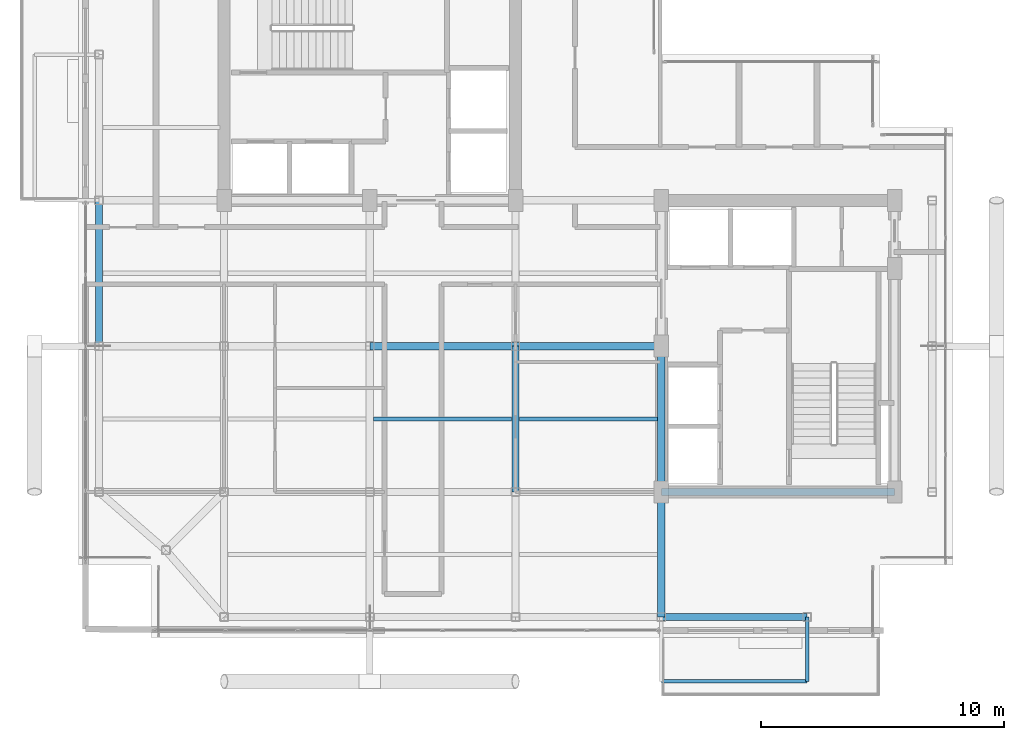
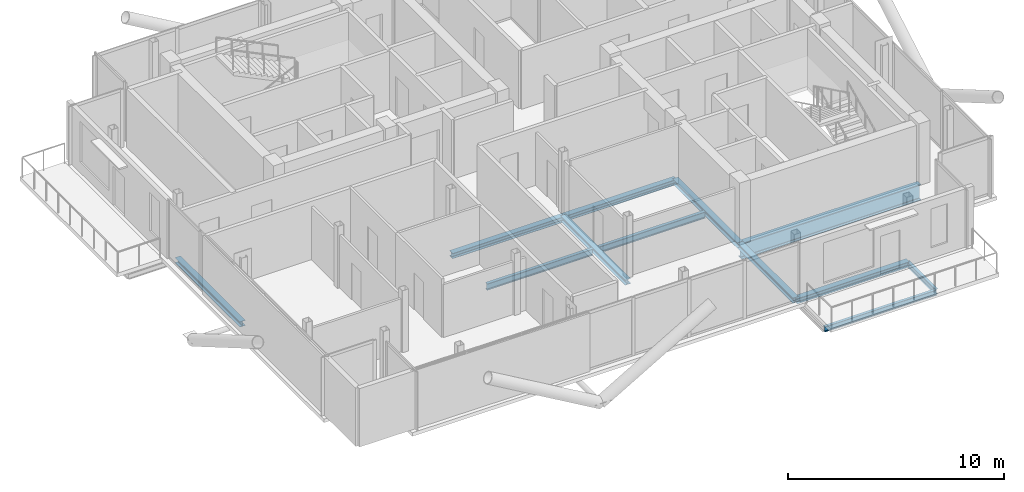
# One storey, part 5 of 18: 12 beams.
"""IFC4 building model written with IfcOpenShell, lengths in metres."""

import ifcopenshell
import ifcopenshell.guid

model = None  # the IFC model being written
_history = None  # IfcOwnerHistory: only IFC2X3 demands one
_inside = {}  # id of a spatial element -> (the spatial element, [elements in it])
_under = {}  # id of a project, library or spatial element -> (it, [spatial elements below it])
_declared = {}  # id of a project -> (the project, [libraries it declares])
_typed = {}  # id of a type object -> (the type object, [elements of that type])
_made_of = {}  # id of a material, layer set ... -> (it, [elements and type objects made of it])


def new_model(schema):
    """Start an empty IFC model of exactly this schema.

    Asked for "IFC4X3", IfcOpenShell would pick the latest addendum, in which some entities
    have other attributes; the version numbers below select the first issue.
    IFC2X3 requires an IfcOwnerHistory on every rooted entity: one is made here for all.
    """
    global model, _history
    if schema == "IFC4X3":
        model = ifcopenshell.file(schema_version=(4, 3, 0, 0))
    else:
        model = ifcopenshell.file(schema=schema)
    _inside.clear()
    _under.clear()
    _declared.clear()
    _typed.clear()
    _made_of.clear()
    _history = None
    if model.schema == "IFC2X3":
        org = make("IfcOrganization", Name="unknown")
        user = make(
            "IfcPersonAndOrganization",
            ThePerson=make("IfcPerson", FamilyName="unknown"),
            TheOrganization=org,
        )
        app = make(
            "IfcApplication",
            ApplicationDeveloper=org,
            Version="unknown",
            ApplicationFullName="unknown",
            ApplicationIdentifier="unknown",
        )
        _history = make(
            "IfcOwnerHistory",
            OwningUser=user,
            OwningApplication=app,
            ChangeAction="ADDED",
            CreationDate=0,
        )
    return model


def make(cls, **values):
    """One entity of the class cls with the attributes given. An attribute that is None is left unset."""
    return model.create_entity(
        cls, **{name: value for name, value in values.items() if value is not None}
    )


def rooted(cls, **values):
    """An entity with a GlobalId (a new one), such as an element, a storey or a relation."""
    return make(cls, GlobalId=ifcopenshell.guid.new(), OwnerHistory=_history, **values)


def si_unit(unit_type, name, prefix=None):
    """IfcSIUnit, for example si_unit("LENGTHUNIT", "METRE", prefix="MILLI")."""
    return make("IfcSIUnit", UnitType=unit_type, Prefix=prefix, Name=name)


def assignment(units):
    """IfcUnitAssignment: the units of a project."""
    return None if units is None else make("IfcUnitAssignment", Units=units)


def point(xyz):
    """IfcCartesianPoint."""
    return None if xyz is None else make("IfcCartesianPoint", Coordinates=xyz)


def direction(xyz):
    """IfcDirection."""
    return None if xyz is None else make("IfcDirection", DirectionRatios=xyz)


def frame(location, z_axis=None, x_axis=None):
    """IfcAxis2Placement3D, a coordinate frame: its origin and axes. An axis left out is left unset."""
    return make(
        "IfcAxis2Placement3D",
        Location=point(location),
        Axis=direction(z_axis),
        RefDirection=direction(x_axis),
    )


def frame_2d(location, x_axis=None):
    """IfcAxis2Placement2D, a coordinate frame in the plane: its origin and x axis."""
    return make(
        "IfcAxis2Placement2D", Location=point(location), RefDirection=direction(x_axis)
    )


def origin():
    """The frame at (0, 0, 0) with its axes left unset."""
    return frame((0.0, 0.0, 0.0))


def origin_2d():
    """The frame at (0, 0) in the plane with its x axis left unset."""
    return frame_2d((0.0, 0.0))


def place(relative_to, where):
    """IfcLocalPlacement: puts the frame where relative to a parent placement (None: the world)."""
    return make(
        "IfcLocalPlacement", PlacementRelTo=relative_to, RelativePlacement=where
    )


def context(
    kind, dimensions, precision=None, world=None, true_north=None, identifier=None
):
    """IfcGeometricRepresentationContext, for example the 3D "Model" context."""
    return make(
        "IfcGeometricRepresentationContext",
        ContextIdentifier=identifier,
        ContextType=kind,
        CoordinateSpaceDimension=dimensions,
        Precision=precision,
        WorldCoordinateSystem=world,
        TrueNorth=true_north,
    )


def subcontext(parent, identifier, kind, view, scale=None):
    """IfcGeometricRepresentationSubContext, for example "Body" below "Model"."""
    return make(
        "IfcGeometricRepresentationSubContext",
        ContextIdentifier=identifier,
        ContextType=kind,
        ParentContext=parent,
        TargetScale=scale,
        TargetView=view,
    )


def project(units=None, contexts=None):
    """IfcProject with its units and contexts."""
    return rooted(
        "IfcProject",
        Name="project",
        RepresentationContexts=contexts,
        UnitsInContext=assignment(units),
    )


def spatial(cls, under=None, at=None, **own):
    """A site, building, storey or space (cls), placed at a placement, below another one or the project."""
    s = rooted(cls, ObjectPlacement=at, **own)
    if under is not None:
        _under.setdefault(under.id(), (under, []))[1].append(s)
    return s


def profile(cls, at=None, kind="AREA", **sizes):
    """A parametric profile (cls). Its sizes go by their IFC names, for example OverallWidth=200.0."""
    return make(cls, ProfileType=kind, Position=at, **sizes)


def i_section(**sizes):
    """IfcIShapeProfileDef."""
    return profile("IfcIShapeProfileDef", **sizes)


def extrude(swept, where, along, depth):
    """IfcExtrudedAreaSolid: the profile swept, set in the frame where, extruded along a direction by depth."""
    return make(
        "IfcExtrudedAreaSolid",
        SweptArea=swept,
        Position=where,
        ExtrudedDirection=direction(along),
        Depth=depth,
    )


def shape(context_of_items, identifier, shape_type, items):
    """IfcShapeRepresentation: the items that make up one representation, for example the "Body"."""
    return make(
        "IfcShapeRepresentation",
        ContextOfItems=context_of_items,
        RepresentationIdentifier=identifier,
        RepresentationType=shape_type,
        Items=items,
    )


def material(Name=None, Category=None):
    """IfcMaterial."""
    return make("IfcMaterial", Name=Name, Category=Category)


def material_profile(
    of_material, cross_section, Name=None, Category=None, Priority=None
):
    """IfcMaterialProfile: a cross section and its material."""
    return make(
        "IfcMaterialProfile",
        Name=Name,
        Material=of_material,
        Profile=cross_section,
        Priority=Priority,
        Category=Category,
    )


def profile_set(profiles, Name=None, composite=None):
    """IfcMaterialProfileSet."""
    return make(
        "IfcMaterialProfileSet",
        Name=Name,
        MaterialProfiles=profiles,
        CompositeProfile=composite,
    )


def made_of(thing, what):
    """Note that an element or type object is made of a material, layer set ...; save() writes the relation."""
    if what is not None:
        _made_of.setdefault(what.id(), (what, []))[1].append(thing)
    return thing


def type_object(cls, material=None, **own):
    """A type object (cls), such as IfcWallType, which elements share."""
    return made_of(rooted(cls, **own), material)


def element(
    cls,
    number,
    at=None,
    inside=None,
    cuts=None,
    type_object=None,
    material=None,
    context=None,
    identifier="Body",
    shape_type=None,
    held_by="IfcProductDefinitionShape",
    body=None,
    shapes=None,
    **own,
):
    """One element of the class cls, such as IfcWall. Its Tag is "e" and its number.

    at: its placement. inside: the storey or other place that contains it. cuts: it is an
    opening in that element (IfcRelVoidsElement). A single representation is given by context,
    identifier, shape_type and body (its items); several are given by shapes. held_by: the class
    of the entity that holds the representations. save() writes the other relations.
    """
    e = rooted(cls, Tag="e%d" % number, ObjectPlacement=at, **own)
    if body is not None:
        shapes = [shape(context, identifier, shape_type, body)]
    if shapes is not None:
        e.Representation = make(held_by, Representations=shapes)
    if inside is not None:
        _inside.setdefault(inside.id(), (inside, []))[1].append(e)
    if cuts is not None:
        rooted(
            "IfcRelVoidsElement", RelatingBuildingElement=cuts, RelatedOpeningElement=e
        )
    if type_object is not None:
        _typed.setdefault(type_object.id(), (type_object, []))[1].append(e)
    return made_of(e, material)


def aggregate(whole, parts):
    """IfcRelAggregates: a whole, such as a stair, and the parts it consists of."""
    return rooted("IfcRelAggregates", RelatingObject=whole, RelatedObjects=parts)


def save(model, path):
    """Write the relations noted so far, then the file.

    IfcRelAggregates (storeys below a building ...), IfcRelContainedInSpatialStructure (elements
    in a storey), IfcRelDefinesByType, IfcRelAssociatesMaterial and IfcRelDeclares: one each for
    every whole, place, type object, material and project.
    """
    for whole, parts in _under.values():
        aggregate(whole, parts)
    for where, things in _inside.values():
        rooted(
            "IfcRelContainedInSpatialStructure",
            RelatedElements=things,
            RelatingStructure=where,
        )
    for kind, things in _typed.values():
        rooted("IfcRelDefinesByType", RelatedObjects=things, RelatingType=kind)
    for what, things in _made_of.values():
        rooted("IfcRelAssociatesMaterial", RelatedObjects=things, RelatingMaterial=what)
    for by, libraries in _declared.values():
        rooted("IfcRelDeclares", RelatingContext=by, RelatedDefinitions=libraries)
    model.write(path)


model = new_model("IFC4")

# Units and contexts
model_context = context("Model", 3, precision=1e-05, world=origin(), true_north=direction((0.0, 1.0)))
body_context = subcontext(model_context, "Body", "Model", "MODEL_VIEW")
ifc_project = project(units=[si_unit("LENGTHUNIT", "METRE"), si_unit("AREAUNIT", "SQUARE_METRE"), si_unit("VOLUMEUNIT", "CUBIC_METRE"), si_unit("PLANEANGLEUNIT", "RADIAN"), si_unit("MASSUNIT", "GRAM", prefix="KILO"), si_unit("THERMODYNAMICTEMPERATUREUNIT", "KELVIN"), si_unit("POWERUNIT", "WATT")], contexts=[model_context])

# Site, building, storey
site_placement = place(None, origin())
site = spatial("IfcSite", under=ifc_project, at=site_placement, CompositionType="ELEMENT")
building_placement = place(site_placement, origin())
building = spatial("IfcBuilding", under=site, at=building_placement, Name="Svarakhadi Broadcast Tower", CompositionType="ELEMENT")
storey_placement = place(building_placement, frame((0.0, 0.0, 246.699951171875)))
storey = spatial("IfcBuildingStorey", under=building, at=storey_placement, Name="L61", CompositionType="ELEMENT", Elevation=246.699951171875)

# Beams
ifc_material_1 = material(Name="Steel S355J2 (IS 2062 E350C)", Category="steel")
ifc_material_profile_1 = material_profile(ifc_material_1, i_section(OverallWidth=0.169921875, OverallDepth=0.360107421875, WebThickness=0.008056640625, FlangeThickness=0.0126953125, FilletRadius=0.01806640625, at=origin_2d()), Name="NPB 360x170x57")
ifc_profile_set_1 = profile_set([ifc_material_profile_1], Name="Steel S355J2 (IS 2062 E350C)")
beam_type_1 = type_object("IfcBeamType", Name="Beam_NPB360", PredefinedType="BEAM", material=ifc_profile_set_1)
for number, where, z_axis, x_axis, name in (
    (1, (12.159912109375, 9.0, -0.3798828125), (1.0, 0.0, 0.0), (0.0, 1.0, 0.0), "L61 Secondary Composite Beam SB008"),
    (2, (18.159912109375, 9.0, -0.3798828125), (1.0, 0.0, 0.0), (0.0, 1.0, 0.0), "L61 Secondary Composite Beam SB011"),
):
    element("IfcBeam", number, at=place(storey_placement, frame(where, z_axis=z_axis, x_axis=x_axis)), inside=storey, type_object=beam_type_1, Name=name, PredefinedType="BEAM", context=body_context, shape_type="SweptSolid", body=[
        extrude(i_section(OverallWidth=0.169921875, OverallDepth=0.360107421875, WebThickness=0.008056640625, FlangeThickness=0.0126953125, FilletRadius=0.01806640625, at=origin_2d()), origin(), (0.0, 0.0, 1.0), 5.68017578125),
    ])
ifc_material_profile_2 = material_profile(ifc_material_1, i_section(OverallWidth=0.300048828125, OverallDepth=0.300048828125, WebThickness=0.010986328125, FlangeThickness=0.01904296875, FilletRadius=0.027099609375, at=origin_2d()), Name="WPB 300x300x117")
ifc_profile_set_2 = profile_set([ifc_material_profile_2], Name="Steel S355J2 (IS 2062 E350C)")
beam_type_2 = type_object("IfcBeamType", Name="Girder_WPB300", PredefinedType="USERDEFINED", material=ifc_profile_set_2)
for number, where, z_axis, x_axis, name in (
    (3, (24.0, 0.85009765625, -0.349853515625), (1.0, 0.0, 0.0), (0.0, 1.0, 0.0), "L61 Primary E-W Girder G007"),
    (4, (12.0, 12.0, -0.349853515625), (1.0, 0.0, 0.0), (0.0, 1.0, 0.0), "L61 Primary E-W Girder G015"),
    (5, (18.0, 12.0, -0.349853515625), (1.0, 0.0, 0.0), (0.0, 1.0, 0.0), "L61 Primary E-W Girder G016"),
    (6, (0.85009765625, 12.0, -0.349853515625), (0.0, 1.0, 0.0), (-1.0, 0.0, 0.0), "L61 Primary N-S Girder G027"),
    (7, (18.0, 6.0, -0.349853515625), (0.0, 1.0, 0.0), (-1.0, 0.0, 0.0), "L61 Primary N-S Girder G037"),
):
    element("IfcBeam", number, at=place(storey_placement, frame(where, z_axis=z_axis, x_axis=x_axis)), inside=storey, type_object=beam_type_2, Name=name, ObjectType="GIRDER", PredefinedType="USERDEFINED", context=body_context, shape_type="SweptSolid", body=[
        extrude(i_section(OverallWidth=0.300048828125, OverallDepth=0.300048828125, WebThickness=0.010986328125, FlangeThickness=0.01904296875, FilletRadius=0.027099609375, at=origin_2d()), origin(), (0.0, 0.0, 1.0), 6.0),
    ])
beam_1_placement = place(storey_placement, frame((24.0, 0.85009765625, -0.349853515625), z_axis=(0.0, 1.0, 0.0), x_axis=(-1.0, 0.0, 0.0)))
element("IfcBeam", 8, at=beam_1_placement, inside=storey, type_object=beam_type_2, Name="L61 Primary N-S Girder G040", ObjectType="GIRDER", PredefinedType="USERDEFINED", context=body_context, shape_type="SweptSolid", body=[
    extrude(i_section(OverallWidth=0.300048828125, OverallDepth=0.300048828125, WebThickness=0.010986328125, FlangeThickness=0.01904296875, FilletRadius=0.027099609375, at=origin_2d()), origin(), (0.0, 0.0, 1.0), 5.14990234375),
])
beam_2_placement = place(storey_placement, frame((24.0, 6.0, -0.349853515625), z_axis=(0.0, 1.0, 0.0), x_axis=(-1.0, 0.0, 0.0)))
element("IfcBeam", 9, at=beam_2_placement, inside=storey, type_object=beam_type_2, Name="L61 Primary N-S Girder G041", ObjectType="GIRDER", PredefinedType="USERDEFINED", context=body_context, shape_type="SweptSolid", body=[
    extrude(i_section(OverallWidth=0.300048828125, OverallDepth=0.300048828125, WebThickness=0.010986328125, FlangeThickness=0.01904296875, FilletRadius=0.027099609375, at=origin_2d()), origin(), (0.0, 0.0, 1.0), 6.0),
])
ifc_material_2 = material(Name="Steel S460ML (IS 2062 E450BR)", Category="steel")
ifc_material_profile_3 = material_profile(ifc_material_2, i_section(OverallWidth=0.300048828125, OverallDepth=0.89990234375, WebThickness=0.0185546875, FlangeThickness=0.034912109375, FilletRadius=0.030029296875, at=origin_2d()), Name="WPB 900x300x291")
ifc_profile_set_3 = profile_set([ifc_material_profile_3], Name="Steel S460ML (IS 2062 E450BR)")
beam_type_3 = type_object("IfcBeamType", Name="Girder_WPB900", PredefinedType="USERDEFINED", material=ifc_profile_set_3)
beam_3_placement = place(storey_placement, frame((24.0, 6.0, -0.64990234375), z_axis=(1.0, 0.0, 0.0), x_axis=(0.0, 1.0, 0.0)))
element("IfcBeam", 10, at=beam_3_placement, inside=storey, type_object=beam_type_3, Name="L61 Primary E-W Girder G012", ObjectType="GIRDER", PredefinedType="USERDEFINED", context=body_context, shape_type="SweptSolid", body=[
    extrude(i_section(OverallWidth=0.300048828125, OverallDepth=0.89990234375, WebThickness=0.0185546875, FlangeThickness=0.034912109375, FilletRadius=0.030029296875, at=origin_2d()), origin(), (0.0, 0.0, 1.0), 9.60009765625),
])
ifc_material_profile_4 = material_profile(ifc_material_1, i_section(OverallWidth=0.14990234375, OverallDepth=0.300048828125, WebThickness=0.007080078125, FlangeThickness=0.0107421875, FilletRadius=0.014892578125, at=origin_2d()), Name="NPB 300x150x37")
ifc_profile_set_4 = profile_set([ifc_material_profile_4], Name="Steel S355J2 (IS 2062 E350C)")
beam_type_4 = type_object("IfcBeamType", Name="Spandrel_NPB300", PredefinedType="SPANDREL", material=ifc_profile_set_4)
beam_4_placement = place(storey_placement, frame((30.0, 0.85009765625, -0.375), z_axis=(0.0, -1.0, 0.0), x_axis=(1.0, 0.0, 0.0)))
element("IfcBeam", 11, at=beam_4_placement, inside=storey, type_object=beam_type_4, Name="L61 Balcony Cantilever Bracket 1B", PredefinedType="SPANDREL", context=body_context, shape_type="SweptSolid", body=[
    extrude(i_section(OverallWidth=0.14990234375, OverallDepth=0.300048828125, WebThickness=0.007080078125, FlangeThickness=0.0107421875, FilletRadius=0.014892578125, at=origin_2d()), origin(), (0.0, 0.0, 1.0), 2.650146484375),
])
beam_5_placement = place(storey_placement, frame((24.0, -1.800048828125, -0.375), z_axis=(1.0, 0.0, 0.0), x_axis=(0.0, 1.0, 0.0)))
element("IfcBeam", 12, at=beam_5_placement, inside=storey, type_object=beam_type_4, Name="L61 Balcony Outer Spandrel 1F", PredefinedType="SPANDREL", context=body_context, shape_type="SweptSolid", body=[
    extrude(i_section(OverallWidth=0.14990234375, OverallDepth=0.300048828125, WebThickness=0.007080078125, FlangeThickness=0.0107421875, FilletRadius=0.014892578125, at=origin_2d()), origin(), (0.0, 0.0, 1.0), 6.0),
])

save(model, "model.ifc")
